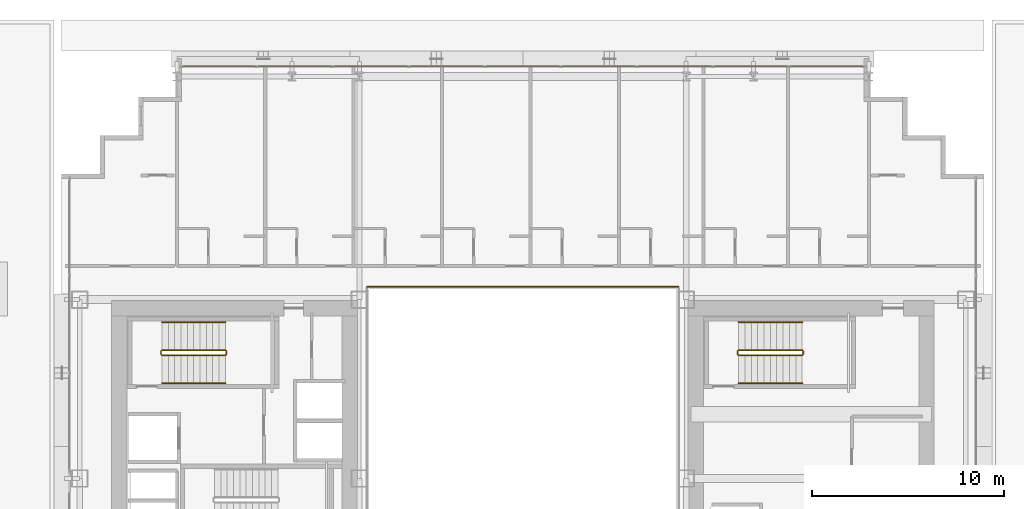
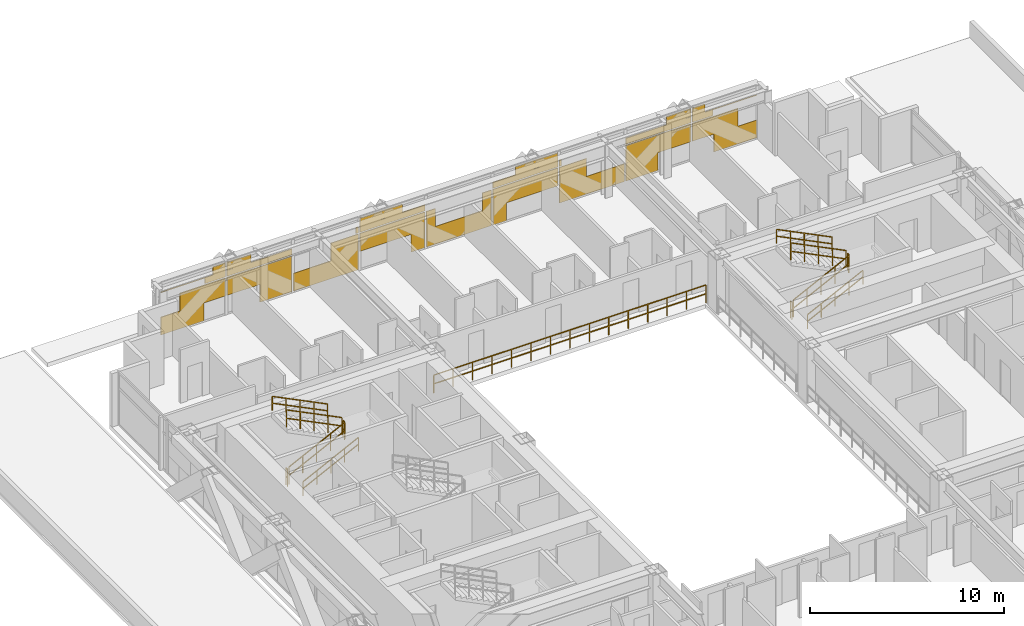
# One storey, part 35 of 35: 13 railings, 1 covering.
"""IFC4 building model written with IfcOpenShell, lengths in metres."""

import ifcopenshell
import ifcopenshell.guid

model = None  # the IFC model being written
_history = None  # IfcOwnerHistory: only IFC2X3 demands one
_inside = {}  # id of a spatial element -> (the spatial element, [elements in it])
_under = {}  # id of a project, library or spatial element -> (it, [spatial elements below it])
_declared = {}  # id of a project -> (the project, [libraries it declares])
_typed = {}  # id of a type object -> (the type object, [elements of that type])
_made_of = {}  # id of a material, layer set ... -> (it, [elements and type objects made of it])


def new_model(schema):
    """Start an empty IFC model of exactly this schema.

    Asked for "IFC4X3", IfcOpenShell would pick the latest addendum, in which some entities
    have other attributes; the version numbers below select the first issue.
    IFC2X3 requires an IfcOwnerHistory on every rooted entity: one is made here for all.
    """
    global model, _history
    if schema == "IFC4X3":
        model = ifcopenshell.file(schema_version=(4, 3, 0, 0))
    else:
        model = ifcopenshell.file(schema=schema)
    _inside.clear()
    _under.clear()
    _declared.clear()
    _typed.clear()
    _made_of.clear()
    _history = None
    if model.schema == "IFC2X3":
        org = make("IfcOrganization", Name="unknown")
        user = make(
            "IfcPersonAndOrganization",
            ThePerson=make("IfcPerson", FamilyName="unknown"),
            TheOrganization=org,
        )
        app = make(
            "IfcApplication",
            ApplicationDeveloper=org,
            Version="unknown",
            ApplicationFullName="unknown",
            ApplicationIdentifier="unknown",
        )
        _history = make(
            "IfcOwnerHistory",
            OwningUser=user,
            OwningApplication=app,
            ChangeAction="ADDED",
            CreationDate=0,
        )
    return model


def make(cls, **values):
    """One entity of the class cls with the attributes given. An attribute that is None is left unset."""
    return model.create_entity(
        cls, **{name: value for name, value in values.items() if value is not None}
    )


def rooted(cls, **values):
    """An entity with a GlobalId (a new one), such as an element, a storey or a relation."""
    return make(cls, GlobalId=ifcopenshell.guid.new(), OwnerHistory=_history, **values)


def si_unit(unit_type, name, prefix=None):
    """IfcSIUnit, for example si_unit("LENGTHUNIT", "METRE", prefix="MILLI")."""
    return make("IfcSIUnit", UnitType=unit_type, Prefix=prefix, Name=name)


def assignment(units):
    """IfcUnitAssignment: the units of a project."""
    return None if units is None else make("IfcUnitAssignment", Units=units)


def point(xyz):
    """IfcCartesianPoint."""
    return None if xyz is None else make("IfcCartesianPoint", Coordinates=xyz)


def direction(xyz):
    """IfcDirection."""
    return None if xyz is None else make("IfcDirection", DirectionRatios=xyz)


def frame(location, z_axis=None, x_axis=None):
    """IfcAxis2Placement3D, a coordinate frame: its origin and axes. An axis left out is left unset."""
    return make(
        "IfcAxis2Placement3D",
        Location=point(location),
        Axis=direction(z_axis),
        RefDirection=direction(x_axis),
    )


def frame_2d(location, x_axis=None):
    """IfcAxis2Placement2D, a coordinate frame in the plane: its origin and x axis."""
    return make(
        "IfcAxis2Placement2D", Location=point(location), RefDirection=direction(x_axis)
    )


def origin():
    """The frame at (0, 0, 0) with its axes left unset."""
    return frame((0.0, 0.0, 0.0))


def origin_2d():
    """The frame at (0, 0) in the plane with its x axis left unset."""
    return frame_2d((0.0, 0.0))


def place(relative_to, where):
    """IfcLocalPlacement: puts the frame where relative to a parent placement (None: the world)."""
    return make(
        "IfcLocalPlacement", PlacementRelTo=relative_to, RelativePlacement=where
    )


def context(
    kind, dimensions, precision=None, world=None, true_north=None, identifier=None
):
    """IfcGeometricRepresentationContext, for example the 3D "Model" context."""
    return make(
        "IfcGeometricRepresentationContext",
        ContextIdentifier=identifier,
        ContextType=kind,
        CoordinateSpaceDimension=dimensions,
        Precision=precision,
        WorldCoordinateSystem=world,
        TrueNorth=true_north,
    )


def subcontext(parent, identifier, kind, view, scale=None):
    """IfcGeometricRepresentationSubContext, for example "Body" below "Model"."""
    return make(
        "IfcGeometricRepresentationSubContext",
        ContextIdentifier=identifier,
        ContextType=kind,
        ParentContext=parent,
        TargetScale=scale,
        TargetView=view,
    )


def project(units=None, contexts=None):
    """IfcProject with its units and contexts."""
    return rooted(
        "IfcProject",
        Name="project",
        RepresentationContexts=contexts,
        UnitsInContext=assignment(units),
    )


def spatial(cls, under=None, at=None, **own):
    """A site, building, storey or space (cls), placed at a placement, below another one or the project."""
    s = rooted(cls, ObjectPlacement=at, **own)
    if under is not None:
        _under.setdefault(under.id(), (under, []))[1].append(s)
    return s


def profile(cls, at=None, kind="AREA", **sizes):
    """A parametric profile (cls). Its sizes go by their IFC names, for example OverallWidth=200.0."""
    return make(cls, ProfileType=kind, Position=at, **sizes)


def rectangle(**sizes):
    """IfcRectangleProfileDef."""
    return profile("IfcRectangleProfileDef", **sizes)


def extrude(swept, where, along, depth):
    """IfcExtrudedAreaSolid: the profile swept, set in the frame where, extruded along a direction by depth."""
    return make(
        "IfcExtrudedAreaSolid",
        SweptArea=swept,
        Position=where,
        ExtrudedDirection=direction(along),
        Depth=depth,
    )


def shape(context_of_items, identifier, shape_type, items):
    """IfcShapeRepresentation: the items that make up one representation, for example the "Body"."""
    return make(
        "IfcShapeRepresentation",
        ContextOfItems=context_of_items,
        RepresentationIdentifier=identifier,
        RepresentationType=shape_type,
        Items=items,
    )


def material(Name=None, Category=None):
    """IfcMaterial."""
    return make("IfcMaterial", Name=Name, Category=Category)


def layer(
    of_material, thickness, ventilated=None, Name=None, Category=None, Priority=None
):
    """IfcMaterialLayer: one layer of a wall or slab, of a material (None: an air gap)."""
    return make(
        "IfcMaterialLayer",
        Material=of_material,
        LayerThickness=thickness,
        IsVentilated=ventilated,
        Name=Name,
        Category=Category,
        Priority=Priority,
    )


def layer_set(layers, Name=None):
    """IfcMaterialLayerSet."""
    return make("IfcMaterialLayerSet", MaterialLayers=layers, LayerSetName=Name)


def made_of(thing, what):
    """Note that an element or type object is made of a material, layer set ...; save() writes the relation."""
    if what is not None:
        _made_of.setdefault(what.id(), (what, []))[1].append(thing)
    return thing


def type_object(cls, material=None, **own):
    """A type object (cls), such as IfcWallType, which elements share."""
    return made_of(rooted(cls, **own), material)


def element(
    cls,
    number,
    at=None,
    inside=None,
    cuts=None,
    type_object=None,
    material=None,
    context=None,
    identifier="Body",
    shape_type=None,
    held_by="IfcProductDefinitionShape",
    body=None,
    shapes=None,
    **own,
):
    """One element of the class cls, such as IfcWall. Its Tag is "e" and its number.

    at: its placement. inside: the storey or other place that contains it. cuts: it is an
    opening in that element (IfcRelVoidsElement). A single representation is given by context,
    identifier, shape_type and body (its items); several are given by shapes. held_by: the class
    of the entity that holds the representations. save() writes the other relations.
    """
    e = rooted(cls, Tag="e%d" % number, ObjectPlacement=at, **own)
    if body is not None:
        shapes = [shape(context, identifier, shape_type, body)]
    if shapes is not None:
        e.Representation = make(held_by, Representations=shapes)
    if inside is not None:
        _inside.setdefault(inside.id(), (inside, []))[1].append(e)
    if cuts is not None:
        rooted(
            "IfcRelVoidsElement", RelatingBuildingElement=cuts, RelatedOpeningElement=e
        )
    if type_object is not None:
        _typed.setdefault(type_object.id(), (type_object, []))[1].append(e)
    return made_of(e, material)


def aggregate(whole, parts):
    """IfcRelAggregates: a whole, such as a stair, and the parts it consists of."""
    return rooted("IfcRelAggregates", RelatingObject=whole, RelatedObjects=parts)


def save(model, path):
    """Write the relations noted so far, then the file.

    IfcRelAggregates (storeys below a building ...), IfcRelContainedInSpatialStructure (elements
    in a storey), IfcRelDefinesByType, IfcRelAssociatesMaterial and IfcRelDeclares: one each for
    every whole, place, type object, material and project.
    """
    for whole, parts in _under.values():
        aggregate(whole, parts)
    for where, things in _inside.values():
        rooted(
            "IfcRelContainedInSpatialStructure",
            RelatedElements=things,
            RelatingStructure=where,
        )
    for kind, things in _typed.values():
        rooted("IfcRelDefinesByType", RelatedObjects=things, RelatingType=kind)
    for what, things in _made_of.values():
        rooted("IfcRelAssociatesMaterial", RelatedObjects=things, RelatingMaterial=what)
    for by, libraries in _declared.values():
        rooted("IfcRelDeclares", RelatingContext=by, RelatedDefinitions=libraries)
    model.write(path)


model = new_model("IFC4")

# Units and contexts
model_context = context("Model", 3, precision=1e-05, world=origin(), true_north=direction((0.0, 1.0)))
body_context = subcontext(model_context, "Body", "Model", "MODEL_VIEW")
ifc_project = project(units=[si_unit("LENGTHUNIT", "METRE"), si_unit("AREAUNIT", "SQUARE_METRE"), si_unit("VOLUMEUNIT", "CUBIC_METRE"), si_unit("PLANEANGLEUNIT", "RADIAN"), si_unit("MASSUNIT", "GRAM", prefix="KILO")], contexts=[model_context])

# Site, building, storey
site_placement = place(None, origin())
site = spatial("IfcSite", under=ifc_project, at=site_placement, CompositionType="ELEMENT")
building_placement = place(site_placement, origin())
building = spatial("IfcBuilding", under=site, at=building_placement, Name="Ocotamira Hotel", CompositionType="ELEMENT")
storey_placement = place(building_placement, frame((0.0, 0.0, 34.800048828125)))
storey = spatial("IfcBuildingStorey", under=building, at=storey_placement, Name="L07", CompositionType="ELEMENT", Elevation=34.800048828125)

# Covering
ifc_material_1 = material(Name="Insulated pale-metal aluminium spandrel panel", Category="aluminium")
ifc_layer = layer(ifc_material_1, 0.044921875)
ifc_layer_set = layer_set([ifc_layer], Name="Insulated pale-metal aluminium spandrel panel")
covering_type = type_object("IfcCoveringType", Name="COV-INFILL-45", PredefinedType="CLADDING", material=ifc_layer_set)
covering_placement = place(storey_placement, origin())
element("IfcCovering", 1, at=covering_placement, inside=storey, type_object=covering_type, Name="L07 Curtain Wall Infill CW-2 CW-L07-N", PredefinedType="CLADDING", context=body_context, shape_type="SweptSolid", body=[
    extrude(rectangle(XDim=2.556396484375, YDim=0.044921875, at=origin_2d()), frame((15.558837890625, 49.580078125, 0.075439453125), z_axis=(0.0, 0.0, 1.0), x_axis=(1.0, 0.0, 0.0)), (0.0, 0.0, 1.0), 1.11767578125),
    extrude(rectangle(XDim=2.7177734375, YDim=0.044921875, at=origin_2d()), frame((16.756103515625, 49.580078125, 1.194091796875), z_axis=(0.0, 0.0, 1.0), x_axis=(1.0, 0.0, 0.0)), (0.0, 0.0, 1.0), 1.11767578125),
    extrude(rectangle(XDim=3.834716796875, YDim=0.044921875, at=origin_2d()), frame((16.19775390625, 49.580078125, 2.7333984375), z_axis=(0.0, 0.0, 1.0), x_axis=(1.0, 0.0, 0.0)), (0.0, 0.0, 1.0), 0.0302734375),
    extrude(rectangle(XDim=1.2255859375, YDim=0.044921875, at=origin_2d()), frame((17.502197265625, 49.580078125, 2.3876953125), z_axis=(0.0, 0.0, 1.0), x_axis=(1.0, 0.0, 0.0)), (0.0, 0.0, 1.0), 0.344482421875),
    extrude(rectangle(XDim=0.754638671875, YDim=0.044921875, at=origin_2d()), frame((17.73779296875, 49.580078125, 2.7646484375), z_axis=(0.0, 0.0, 1.0), x_axis=(1.0, 0.0, 0.0)), (0.0, 0.0, 1.0), 0.509765625),
    extrude(rectangle(XDim=3.87451171875, YDim=0.044921875, at=origin_2d()), frame((20.13330078125, 49.580078125, 1.194091796875), z_axis=(0.0, 0.0, 1.0), x_axis=(1.0, 0.0, 0.0)), (0.0, 0.0, 1.0), 1.11767578125),
    extrude(rectangle(XDim=1.90771484375, YDim=0.044921875, at=origin_2d()), frame((21.11669921875, 49.580078125, 0.075439453125), z_axis=(0.0, 0.0, 1.0), x_axis=(1.0, 0.0, 0.0)), (0.0, 0.0, 1.0), 1.11767578125),
    extrude(rectangle(XDim=3.87451171875, YDim=0.044921875, at=origin_2d()), frame((20.13330078125, 49.580078125, 2.38818359375), z_axis=(0.0, 0.0, 1.0), x_axis=(1.0, 0.0, 0.0)), (0.0, 0.0, 1.0), 0.375732421875),
    extrude(rectangle(XDim=1.443603515625, YDim=0.044921875, at=origin_2d()), frame((18.917724609375, 49.580078125, 2.7646484375), z_axis=(0.0, 0.0, 1.0), x_axis=(1.0, 0.0, 0.0)), (0.0, 0.0, 1.0), 0.509765625),
    extrude(rectangle(XDim=3.87451171875, YDim=0.044921875, at=origin_2d()), frame((24.0888671875, 49.580078125, 0.075439453125), z_axis=(0.0, 0.0, 1.0), x_axis=(1.0, 0.0, 0.0)), (0.0, 0.0, 1.0), 1.11767578125),
    extrude(rectangle(XDim=1.62890625, YDim=0.044921875, at=origin_2d()), frame((25.2119140625, 49.580078125, 1.194091796875), z_axis=(0.0, 0.0, 1.0), x_axis=(1.0, 0.0, 0.0)), (0.0, 0.0, 1.0), 1.11767578125),
    extrude(rectangle(XDim=0.13671875, YDim=0.044921875, at=origin_2d()), frame((25.957763671875, 49.580078125, 2.38818359375), z_axis=(0.0, 0.0, 1.0), x_axis=(1.0, 0.0, 0.0)), (0.0, 0.0, 1.0), 0.375732421875),
    extrude(rectangle(XDim=3.87451171875, YDim=0.044921875, at=origin_2d()), frame((28.04443359375, 49.580078125, 1.194091796875), z_axis=(0.0, 0.0, 1.0), x_axis=(1.0, 0.0, 0.0)), (0.0, 0.0, 1.0), 1.11767578125),
    extrude(rectangle(XDim=0.81884765625, YDim=0.044921875, at=origin_2d()), frame((29.572265625, 49.580078125, 0.075439453125), z_axis=(0.0, 0.0, 1.0), x_axis=(1.0, 0.0, 0.0)), (0.0, 0.0, 1.0), 1.11767578125),
    extrude(rectangle(XDim=3.87451171875, YDim=0.044921875, at=origin_2d()), frame((28.04443359375, 49.580078125, 2.38818359375), z_axis=(0.0, 0.0, 1.0), x_axis=(1.0, 0.0, 0.0)), (0.0, 0.0, 1.0), 0.375732421875),
    extrude(rectangle(XDim=2.532470703125, YDim=0.044921875, at=origin_2d()), frame((27.373291015625, 49.580078125, 2.7646484375), z_axis=(0.0, 0.0, 1.0), x_axis=(1.0, 0.0, 0.0)), (0.0, 0.0, 1.0), 0.509765625),
    extrude(rectangle(XDim=3.87451171875, YDim=0.044921875, at=origin_2d()), frame((32.0, 49.580078125, 0.075439453125), z_axis=(0.0, 0.0, 1.0), x_axis=(1.0, 0.0, 0.0)), (0.0, 0.0, 1.0), 1.11767578125),
    extrude(rectangle(XDim=0.539794921875, YDim=0.044921875, at=origin_2d()), frame((30.332763671875, 49.580078125, 1.194091796875), z_axis=(0.0, 0.0, 1.0), x_axis=(1.0, 0.0, 0.0)), (0.0, 0.0, 1.0), 1.11767578125),
    extrude(rectangle(XDim=0.539794921875, YDim=0.044921875, at=origin_2d()), frame((33.667236328125, 49.580078125, 1.194091796875), z_axis=(0.0, 0.0, 1.0), x_axis=(1.0, 0.0, 0.0)), (0.0, 0.0, 1.0), 1.11767578125),
    extrude(rectangle(XDim=0.81884765625, YDim=0.044921875, at=origin_2d()), frame((34.427734375, 49.580078125, 0.075439453125), z_axis=(0.0, 0.0, 1.0), x_axis=(1.0, 0.0, 0.0)), (0.0, 0.0, 1.0), 1.11767578125),
    extrude(rectangle(XDim=3.87451171875, YDim=0.044921875, at=origin_2d()), frame((35.95556640625, 49.580078125, 1.194091796875), z_axis=(0.0, 0.0, 1.0), x_axis=(1.0, 0.0, 0.0)), (0.0, 0.0, 1.0), 1.11767578125),
    extrude(rectangle(XDim=3.87451171875, YDim=0.044921875, at=origin_2d()), frame((35.95556640625, 49.580078125, 2.38818359375), z_axis=(0.0, 0.0, 1.0), x_axis=(1.0, 0.0, 0.0)), (0.0, 0.0, 1.0), 0.375732421875),
    extrude(rectangle(XDim=2.532470703125, YDim=0.044921875, at=origin_2d()), frame((36.626708984375, 49.580078125, 2.7646484375), z_axis=(0.0, 0.0, 1.0), x_axis=(1.0, 0.0, 0.0)), (0.0, 0.0, 1.0), 0.509765625),
    extrude(rectangle(XDim=3.87451171875, YDim=0.044921875, at=origin_2d()), frame((39.9111328125, 49.580078125, 0.075439453125), z_axis=(0.0, 0.0, 1.0), x_axis=(1.0, 0.0, 0.0)), (0.0, 0.0, 1.0), 1.11767578125),
    extrude(rectangle(XDim=1.62890625, YDim=0.044921875, at=origin_2d()), frame((38.7880859375, 49.580078125, 1.194091796875), z_axis=(0.0, 0.0, 1.0), x_axis=(1.0, 0.0, 0.0)), (0.0, 0.0, 1.0), 1.11767578125),
    extrude(rectangle(XDim=0.13671875, YDim=0.044921875, at=origin_2d()), frame((38.042236328125, 49.580078125, 2.38818359375), z_axis=(0.0, 0.0, 1.0), x_axis=(1.0, 0.0, 0.0)), (0.0, 0.0, 1.0), 0.375732421875),
    extrude(rectangle(XDim=1.90771484375, YDim=0.044921875, at=origin_2d()), frame((42.88330078125, 49.580078125, 0.075439453125), z_axis=(0.0, 0.0, 1.0), x_axis=(1.0, 0.0, 0.0)), (0.0, 0.0, 1.0), 1.11767578125),
    extrude(rectangle(XDim=3.87451171875, YDim=0.044921875, at=origin_2d()), frame((43.86669921875, 49.580078125, 1.194091796875), z_axis=(0.0, 0.0, 1.0), x_axis=(1.0, 0.0, 0.0)), (0.0, 0.0, 1.0), 1.11767578125),
    extrude(rectangle(XDim=3.87451171875, YDim=0.044921875, at=origin_2d()), frame((43.86669921875, 49.580078125, 2.38818359375), z_axis=(0.0, 0.0, 1.0), x_axis=(1.0, 0.0, 0.0)), (0.0, 0.0, 1.0), 0.375732421875),
    extrude(rectangle(XDim=1.443603515625, YDim=0.044921875, at=origin_2d()), frame((45.082275390625, 49.580078125, 2.7646484375), z_axis=(0.0, 0.0, 1.0), x_axis=(1.0, 0.0, 0.0)), (0.0, 0.0, 1.0), 0.509765625),
    extrude(rectangle(XDim=2.7177734375, YDim=0.044921875, at=origin_2d()), frame((47.243896484375, 49.580078125, 1.194091796875), z_axis=(0.0, 0.0, 1.0), x_axis=(1.0, 0.0, 0.0)), (0.0, 0.0, 1.0), 1.11767578125),
    extrude(rectangle(XDim=2.556396484375, YDim=0.044921875, at=origin_2d()), frame((48.441162109375, 49.580078125, 0.075439453125), z_axis=(0.0, 0.0, 1.0), x_axis=(1.0, 0.0, 0.0)), (0.0, 0.0, 1.0), 1.11767578125),
    extrude(rectangle(XDim=1.2255859375, YDim=0.044921875, at=origin_2d()), frame((46.497802734375, 49.580078125, 2.3876953125), z_axis=(0.0, 0.0, 1.0), x_axis=(1.0, 0.0, 0.0)), (0.0, 0.0, 1.0), 0.344482421875),
    extrude(rectangle(XDim=3.834716796875, YDim=0.044921875, at=origin_2d()), frame((47.80224609375, 49.580078125, 2.7333984375), z_axis=(0.0, 0.0, 1.0), x_axis=(1.0, 0.0, 0.0)), (0.0, 0.0, 1.0), 0.0302734375),
    extrude(rectangle(XDim=0.754638671875, YDim=0.044921875, at=origin_2d()), frame((46.26220703125, 49.580078125, 2.7646484375), z_axis=(0.0, 0.0, 1.0), x_axis=(1.0, 0.0, 0.0)), (0.0, 0.0, 1.0), 0.509765625),
])

# Railings
ifc_material_2 = material(Name="Painted steel stair guardrail", Category="steel")
railing_type_1 = type_object("IfcRailingType", Name="RL-EDGE-1150", PredefinedType="GUARDRAIL", material=ifc_material_2)
railing_1_placement = place(storey_placement, frame((40.10009765625, 38.1201171875, 0.0)))
element("IfcRailing", 2, at=railing_1_placement, inside=storey, type_object=railing_type_1, Name="L07 Central Atrium Edge Guardrail N", PredefinedType="GUARDRAIL", context=body_context, shape_type="SweptSolid", body=[
    extrude(rectangle(XDim=0.048095703125, YDim=0.048095703125, at=origin_2d()), frame((0.0, 0.0, 1.1259765625), z_axis=(-1.0, 0.0, 0.0), x_axis=(0.0, -1.0, 0.0)), (0.0, 0.0, 1.0), 16.2001953125),
    extrude(rectangle(XDim=0.048095703125, YDim=0.048095703125, at=origin_2d()), frame((0.0, 0.0, 0.574951171875), z_axis=(-1.0, 0.0, 0.0), x_axis=(0.0, -1.0, 0.0)), (0.0, 0.0, 1.0), 16.2001953125),
    extrude(rectangle(XDim=0.0419921875, YDim=0.0419921875, at=origin_2d()), origin(), (0.0, 0.0, 1.0), 1.101806640625),
    extrude(rectangle(XDim=0.0419921875, YDim=0.0419921875, at=origin_2d()), frame((-1.1572265625, 0.0, 0.0)), (0.0, 0.0, 1.0), 1.101806640625),
    extrude(rectangle(XDim=0.0419921875, YDim=0.0419921875, at=origin_2d()), frame((-2.314208984375, 0.0, 0.0)), (0.0, 0.0, 1.0), 1.101806640625),
    extrude(rectangle(XDim=0.0419921875, YDim=0.0419921875, at=origin_2d()), frame((-3.471435546875, 0.0, 0.0)), (0.0, 0.0, 1.0), 1.101806640625),
    extrude(rectangle(XDim=0.0419921875, YDim=0.0419921875, at=origin_2d()), frame((-4.628662109375, 0.0, 0.0)), (0.0, 0.0, 1.0), 1.101806640625),
    extrude(rectangle(XDim=0.0419921875, YDim=0.0419921875, at=origin_2d()), frame((-5.785888671875, 0.0, 0.0)), (0.0, 0.0, 1.0), 1.101806640625),
    extrude(rectangle(XDim=0.0419921875, YDim=0.0419921875, at=origin_2d()), frame((-6.94287109375, 0.0, 0.0)), (0.0, 0.0, 1.0), 1.101806640625),
    extrude(rectangle(XDim=0.0419921875, YDim=0.0419921875, at=origin_2d()), frame((-8.10009765625, 0.0, 0.0)), (0.0, 0.0, 1.0), 1.101806640625),
    extrude(rectangle(XDim=0.0419921875, YDim=0.0419921875, at=origin_2d()), frame((-9.25732421875, 0.0, 0.0)), (0.0, 0.0, 1.0), 1.101806640625),
    extrude(rectangle(XDim=0.0419921875, YDim=0.0419921875, at=origin_2d()), frame((-10.414306640625, 0.0, 0.0)), (0.0, 0.0, 1.0), 1.101806640625),
    extrude(rectangle(XDim=0.0419921875, YDim=0.0419921875, at=origin_2d()), frame((-11.571533203125, 0.0, 0.0)), (0.0, 0.0, 1.0), 1.101806640625),
    extrude(rectangle(XDim=0.0419921875, YDim=0.0419921875, at=origin_2d()), frame((-12.728759765625, 0.0, 0.0)), (0.0, 0.0, 1.0), 1.101806640625),
    extrude(rectangle(XDim=0.0419921875, YDim=0.0419921875, at=origin_2d()), frame((-13.885986328125, 0.0, 0.0)), (0.0, 0.0, 1.0), 1.101806640625),
    extrude(rectangle(XDim=0.0419921875, YDim=0.0419921875, at=origin_2d()), frame((-15.04296875, 0.0, 0.0)), (0.0, 0.0, 1.0), 1.101806640625),
    extrude(rectangle(XDim=0.0419921875, YDim=0.0419921875, at=origin_2d()), frame((-16.2001953125, 0.0, 0.0)), (0.0, 0.0, 1.0), 1.101806640625),
])
ifc_material_3 = material(Name="Brushed stainless steel handrail", Category="steel")
railing_type_2 = type_object("IfcRailingType", Name="RL-HAND-900", PredefinedType="HANDRAIL", material=ifc_material_3)
railing_2_placement = place(storey_placement, frame((13.22998046875, 33.10009765625, 0.3271484375)))
element("IfcRailing", 3, at=railing_2_placement, inside=storey, type_object=railing_type_2, Name="L07 ST-2 stair handrail 1", PredefinedType="HANDRAIL", context=body_context, shape_type="SweptSolid", body=[
    extrude(rectangle(XDim=0.048095703125, YDim=0.048095703125, at=origin_2d()), frame((0.0, 0.0, 0.8759765625), z_axis=(0.895893744519, 0.0, 0.4442683857), x_axis=(0.0, 1.0, 0.0)), (0.0, 0.0, 1.0), 3.68359375),
    extrude(rectangle(XDim=0.048095703125, YDim=0.048095703125, at=origin_2d()), frame((0.0, 0.0, 0.449951171875), z_axis=(0.895893744519, 0.0, 0.4442683857), x_axis=(0.0, 1.0, 0.0)), (0.0, 0.0, 1.0), 3.68359375),
    extrude(rectangle(XDim=0.0419921875, YDim=0.0419921875, at=origin_2d()), origin(), (0.0, 0.0, 1.0), 0.851806640625),
    extrude(rectangle(XDim=0.0419921875, YDim=0.0419921875, at=origin_2d()), frame((0.824951171875, 0.0, 0.4091796875)), (0.0, 0.0, 1.0), 0.851806640625),
    extrude(rectangle(XDim=0.0419921875, YDim=0.0419921875, at=origin_2d()), frame((1.64990234375, 0.0, 0.818359375)), (0.0, 0.0, 1.0), 0.851806640625),
    extrude(rectangle(XDim=0.0419921875, YDim=0.0419921875, at=origin_2d()), frame((2.47509765625, 0.0, 1.227294921875)), (0.0, 0.0, 1.0), 0.851806640625),
    extrude(rectangle(XDim=0.0419921875, YDim=0.0419921875, at=origin_2d()), frame((3.300048828125, 0.0, 1.636474609375)), (0.0, 0.0, 1.0), 0.851806640625),
])
railing_3_placement = place(storey_placement, frame((16.530029296875, 36.280029296875, 2.127197265625)))
element("IfcRailing", 4, at=railing_3_placement, inside=storey, type_object=railing_type_2, Name="L07 ST-2 stair handrail 2", PredefinedType="HANDRAIL", context=body_context, shape_type="SweptSolid", body=[
    extrude(rectangle(XDim=0.048095703125, YDim=0.048095703125, at=origin_2d()), frame((0.0, 0.0, 0.8759765625), z_axis=(-0.895893744519, 0.0, 0.4442683857), x_axis=(0.0, -1.0, 0.0)), (0.0, 0.0, 1.0), 3.68359375),
    extrude(rectangle(XDim=0.048095703125, YDim=0.048095703125, at=origin_2d()), frame((0.0, 0.0, 0.449951171875), z_axis=(-0.895893744519, 0.0, 0.4442683857), x_axis=(0.0, -1.0, 0.0)), (0.0, 0.0, 1.0), 3.68359375),
    extrude(rectangle(XDim=0.0419921875, YDim=0.0419921875, at=origin_2d()), origin(), (0.0, 0.0, 1.0), 0.851806640625),
    extrude(rectangle(XDim=0.0419921875, YDim=0.0419921875, at=origin_2d()), frame((-0.824951171875, 0.0, 0.4091796875)), (0.0, 0.0, 1.0), 0.851806640625),
    extrude(rectangle(XDim=0.0419921875, YDim=0.0419921875, at=origin_2d()), frame((-1.64990234375, 0.0, 0.818359375)), (0.0, 0.0, 1.0), 0.851806640625),
    extrude(rectangle(XDim=0.0419921875, YDim=0.0419921875, at=origin_2d()), frame((-2.47509765625, 0.0, 1.227294921875)), (0.0, 0.0, 1.0), 0.851806640625),
    extrude(rectangle(XDim=0.0419921875, YDim=0.0419921875, at=origin_2d()), frame((-3.300048828125, 0.0, 1.636474609375)), (0.0, 0.0, 1.0), 0.851806640625),
])
railing_4_placement = place(storey_placement, frame((43.22998046875, 33.10009765625, 0.3271484375)))
element("IfcRailing", 5, at=railing_4_placement, inside=storey, type_object=railing_type_2, Name="L07 ST-4 stair handrail 1", PredefinedType="HANDRAIL", context=body_context, shape_type="SweptSolid", body=[
    extrude(rectangle(XDim=0.048095703125, YDim=0.048095703125, at=origin_2d()), frame((0.0, 0.0, 0.8759765625), z_axis=(0.895893744519, 0.0, 0.4442683857), x_axis=(0.0, 1.0, 0.0)), (0.0, 0.0, 1.0), 3.68359375),
    extrude(rectangle(XDim=0.048095703125, YDim=0.048095703125, at=origin_2d()), frame((0.0, 0.0, 0.449951171875), z_axis=(0.895893744519, 0.0, 0.4442683857), x_axis=(0.0, 1.0, 0.0)), (0.0, 0.0, 1.0), 3.68359375),
    extrude(rectangle(XDim=0.0419921875, YDim=0.0419921875, at=origin_2d()), origin(), (0.0, 0.0, 1.0), 0.851806640625),
    extrude(rectangle(XDim=0.0419921875, YDim=0.0419921875, at=origin_2d()), frame((0.824951171875, 0.0, 0.4091796875)), (0.0, 0.0, 1.0), 0.851806640625),
    extrude(rectangle(XDim=0.0419921875, YDim=0.0419921875, at=origin_2d()), frame((1.64990234375, 0.0, 0.818359375)), (0.0, 0.0, 1.0), 0.851806640625),
    extrude(rectangle(XDim=0.0419921875, YDim=0.0419921875, at=origin_2d()), frame((2.47509765625, 0.0, 1.227294921875)), (0.0, 0.0, 1.0), 0.851806640625),
    extrude(rectangle(XDim=0.0419921875, YDim=0.0419921875, at=origin_2d()), frame((3.300048828125, 0.0, 1.636474609375)), (0.0, 0.0, 1.0), 0.851806640625),
])
railing_5_placement = place(storey_placement, frame((46.530029296875, 36.280029296875, 2.127197265625)))
element("IfcRailing", 6, at=railing_5_placement, inside=storey, type_object=railing_type_2, Name="L07 ST-4 stair handrail 2", PredefinedType="HANDRAIL", context=body_context, shape_type="SweptSolid", body=[
    extrude(rectangle(XDim=0.048095703125, YDim=0.048095703125, at=origin_2d()), frame((0.0, 0.0, 0.8759765625), z_axis=(-0.895893744519, 0.0, 0.4442683857), x_axis=(0.0, -1.0, 0.0)), (0.0, 0.0, 1.0), 3.68359375),
    extrude(rectangle(XDim=0.048095703125, YDim=0.048095703125, at=origin_2d()), frame((0.0, 0.0, 0.449951171875), z_axis=(-0.895893744519, 0.0, 0.4442683857), x_axis=(0.0, -1.0, 0.0)), (0.0, 0.0, 1.0), 3.68359375),
    extrude(rectangle(XDim=0.0419921875, YDim=0.0419921875, at=origin_2d()), origin(), (0.0, 0.0, 1.0), 0.851806640625),
    extrude(rectangle(XDim=0.0419921875, YDim=0.0419921875, at=origin_2d()), frame((-0.824951171875, 0.0, 0.4091796875)), (0.0, 0.0, 1.0), 0.851806640625),
    extrude(rectangle(XDim=0.0419921875, YDim=0.0419921875, at=origin_2d()), frame((-1.64990234375, 0.0, 0.818359375)), (0.0, 0.0, 1.0), 0.851806640625),
    extrude(rectangle(XDim=0.0419921875, YDim=0.0419921875, at=origin_2d()), frame((-2.47509765625, 0.0, 1.227294921875)), (0.0, 0.0, 1.0), 0.851806640625),
    extrude(rectangle(XDim=0.0419921875, YDim=0.0419921875, at=origin_2d()), frame((-3.300048828125, 0.0, 1.636474609375)), (0.0, 0.0, 1.0), 0.851806640625),
])
railing_type_3 = type_object("IfcRailingType", Name="RL-STAIR-1100", PredefinedType="GUARDRAIL", material=ifc_material_2)
railing_6_placement = place(storey_placement, frame((13.22998046875, 34.56005859375, 0.16357421875)))
element("IfcRailing", 7, at=railing_6_placement, inside=storey, type_object=railing_type_3, Name="L07 ST-2 stair guard 1", PredefinedType="GUARDRAIL", context=body_context, shape_type="SweptSolid", body=[
    extrude(rectangle(XDim=0.048095703125, YDim=0.048095703125, at=origin_2d()), frame((0.0, 0.0, 1.076171875), z_axis=(0.895893744519, 0.0, 0.4442683857), x_axis=(0.0, 1.0, 0.0)), (0.0, 0.0, 1.0), 3.68359375),
    extrude(rectangle(XDim=0.048095703125, YDim=0.048095703125, at=origin_2d()), frame((0.0, 0.0, 0.550048828125), z_axis=(0.895893744519, 0.0, 0.4442683857), x_axis=(0.0, 1.0, 0.0)), (0.0, 0.0, 1.0), 3.68359375),
    extrude(rectangle(XDim=0.0419921875, YDim=0.0419921875, at=origin_2d()), origin(), (0.0, 0.0, 1.0), 1.052001953125),
    extrude(rectangle(XDim=0.0419921875, YDim=0.0419921875, at=origin_2d()), frame((0.824951171875, 0.0, 0.4091796875)), (0.0, 0.0, 1.0), 1.052001953125),
    extrude(rectangle(XDim=0.0419921875, YDim=0.0419921875, at=origin_2d()), frame((1.64990234375, 0.0, 0.818359375)), (0.0, 0.0, 1.0), 1.052001953125),
    extrude(rectangle(XDim=0.0419921875, YDim=0.0419921875, at=origin_2d()), frame((2.47509765625, 0.0, 1.227294921875)), (0.0, 0.0, 1.0), 1.052001953125),
    extrude(rectangle(XDim=0.0419921875, YDim=0.0419921875, at=origin_2d()), frame((3.300048828125, 0.0, 1.636474609375)), (0.0, 0.0, 1.0), 1.052001953125),
])
railing_7_placement = place(storey_placement, frame((16.580078125, 34.610107421875, 1.800048828125)))
element("IfcRailing", 8, at=railing_7_placement, inside=storey, type_object=railing_type_3, Name="L07 ST-2 stair guard 2", PredefinedType="GUARDRAIL", context=body_context, shape_type="SweptSolid", body=[
    extrude(rectangle(XDim=0.048095703125, YDim=0.048095703125, at=origin_2d()), frame((0.0, 0.0, 1.076171875), z_axis=(0.0, 1.0, 0.0), x_axis=(-1.0, 0.0, 0.0)), (0.0, 0.0, 1.0), 0.159912109375),
    extrude(rectangle(XDim=0.048095703125, YDim=0.048095703125, at=origin_2d()), frame((0.0, 0.0, 0.550048828125), z_axis=(0.0, 1.0, 0.0), x_axis=(-1.0, 0.0, 0.0)), (0.0, 0.0, 1.0), 0.159912109375),
    extrude(rectangle(XDim=0.0419921875, YDim=0.0419921875, at=origin_2d()), origin(), (0.0, 0.0, 1.0), 1.052001953125),
    extrude(rectangle(XDim=0.0419921875, YDim=0.0419921875, at=origin_2d()), frame((0.0, 0.159912109375, 0.0)), (0.0, 0.0, 1.0), 1.052001953125),
])
railing_8_placement = place(storey_placement, frame((16.530029296875, 34.820068359375, 1.963623046875)))
element("IfcRailing", 9, at=railing_8_placement, inside=storey, type_object=railing_type_3, Name="L07 ST-2 stair guard 3", PredefinedType="GUARDRAIL", context=body_context, shape_type="SweptSolid", body=[
    extrude(rectangle(XDim=0.048095703125, YDim=0.048095703125, at=origin_2d()), frame((0.0, 0.0, 1.076171875), z_axis=(-0.895920123917, 0.0, 0.444215186098), x_axis=(0.0, -1.0, 0.0)), (0.0, 0.0, 1.0), 3.683349609375),
    extrude(rectangle(XDim=0.048095703125, YDim=0.048095703125, at=origin_2d()), frame((0.0, 0.0, 0.550048828125), z_axis=(-0.895920123917, 0.0, 0.444215186098), x_axis=(0.0, -1.0, 0.0)), (0.0, 0.0, 1.0), 3.683349609375),
    extrude(rectangle(XDim=0.0419921875, YDim=0.0419921875, at=origin_2d()), origin(), (0.0, 0.0, 1.0), 1.052001953125),
    extrude(rectangle(XDim=0.0419921875, YDim=0.0419921875, at=origin_2d()), frame((-0.824951171875, 0.0, 0.4091796875)), (0.0, 0.0, 1.0), 1.052001953125),
    extrude(rectangle(XDim=0.0419921875, YDim=0.0419921875, at=origin_2d()), frame((-1.64990234375, 0.0, 0.818115234375)), (0.0, 0.0, 1.0), 1.052001953125),
    extrude(rectangle(XDim=0.0419921875, YDim=0.0419921875, at=origin_2d()), frame((-2.47509765625, 0.0, 1.22705078125)), (0.0, 0.0, 1.0), 1.052001953125),
    extrude(rectangle(XDim=0.0419921875, YDim=0.0419921875, at=origin_2d()), frame((-3.300048828125, 0.0, 1.63623046875)), (0.0, 0.0, 1.0), 1.052001953125),
])
railing_9_placement = place(storey_placement, frame((13.179931640625, 34.610107421875, 0.0)))
element("IfcRailing", 10, at=railing_9_placement, inside=storey, type_object=railing_type_3, Name="L07 ST-2 stair guard 4", PredefinedType="GUARDRAIL", context=body_context, shape_type="SweptSolid", body=[
    extrude(rectangle(XDim=0.048095703125, YDim=0.048095703125, at=origin_2d()), frame((0.0, 0.0, 1.076171875), z_axis=(0.0, 1.0, 0.0), x_axis=(-1.0, 0.0, 0.0)), (0.0, 0.0, 1.0), 0.159912109375),
    extrude(rectangle(XDim=0.048095703125, YDim=0.048095703125, at=origin_2d()), frame((0.0, 0.0, 0.550048828125), z_axis=(0.0, 1.0, 0.0), x_axis=(-1.0, 0.0, 0.0)), (0.0, 0.0, 1.0), 0.159912109375),
    extrude(rectangle(XDim=0.0419921875, YDim=0.0419921875, at=origin_2d()), origin(), (0.0, 0.0, 1.0), 1.052001953125),
    extrude(rectangle(XDim=0.0419921875, YDim=0.0419921875, at=origin_2d()), frame((0.0, 0.159912109375, 0.0)), (0.0, 0.0, 1.0), 1.052001953125),
])
railing_10_placement = place(storey_placement, frame((43.22998046875, 34.56005859375, 0.16357421875)))
element("IfcRailing", 11, at=railing_10_placement, inside=storey, type_object=railing_type_3, Name="L07 ST-4 stair guard 1", PredefinedType="GUARDRAIL", context=body_context, shape_type="SweptSolid", body=[
    extrude(rectangle(XDim=0.048095703125, YDim=0.048095703125, at=origin_2d()), frame((0.0, 0.0, 1.076171875), z_axis=(0.895893744519, 0.0, 0.4442683857), x_axis=(0.0, 1.0, 0.0)), (0.0, 0.0, 1.0), 3.68359375),
    extrude(rectangle(XDim=0.048095703125, YDim=0.048095703125, at=origin_2d()), frame((0.0, 0.0, 0.550048828125), z_axis=(0.895893744519, 0.0, 0.4442683857), x_axis=(0.0, 1.0, 0.0)), (0.0, 0.0, 1.0), 3.68359375),
    extrude(rectangle(XDim=0.0419921875, YDim=0.0419921875, at=origin_2d()), origin(), (0.0, 0.0, 1.0), 1.052001953125),
    extrude(rectangle(XDim=0.0419921875, YDim=0.0419921875, at=origin_2d()), frame((0.824951171875, 0.0, 0.4091796875)), (0.0, 0.0, 1.0), 1.052001953125),
    extrude(rectangle(XDim=0.0419921875, YDim=0.0419921875, at=origin_2d()), frame((1.64990234375, 0.0, 0.818359375)), (0.0, 0.0, 1.0), 1.052001953125),
    extrude(rectangle(XDim=0.0419921875, YDim=0.0419921875, at=origin_2d()), frame((2.47509765625, 0.0, 1.227294921875)), (0.0, 0.0, 1.0), 1.052001953125),
    extrude(rectangle(XDim=0.0419921875, YDim=0.0419921875, at=origin_2d()), frame((3.300048828125, 0.0, 1.636474609375)), (0.0, 0.0, 1.0), 1.052001953125),
])
railing_11_placement = place(storey_placement, frame((46.580078125, 34.610107421875, 1.800048828125)))
element("IfcRailing", 12, at=railing_11_placement, inside=storey, type_object=railing_type_3, Name="L07 ST-4 stair guard 2", PredefinedType="GUARDRAIL", context=body_context, shape_type="SweptSolid", body=[
    extrude(rectangle(XDim=0.048095703125, YDim=0.048095703125, at=origin_2d()), frame((0.0, 0.0, 1.076171875), z_axis=(0.0, 1.0, 0.0), x_axis=(-1.0, 0.0, 0.0)), (0.0, 0.0, 1.0), 0.159912109375),
    extrude(rectangle(XDim=0.048095703125, YDim=0.048095703125, at=origin_2d()), frame((0.0, 0.0, 0.550048828125), z_axis=(0.0, 1.0, 0.0), x_axis=(-1.0, 0.0, 0.0)), (0.0, 0.0, 1.0), 0.159912109375),
    extrude(rectangle(XDim=0.0419921875, YDim=0.0419921875, at=origin_2d()), origin(), (0.0, 0.0, 1.0), 1.052001953125),
    extrude(rectangle(XDim=0.0419921875, YDim=0.0419921875, at=origin_2d()), frame((0.0, 0.159912109375, 0.0)), (0.0, 0.0, 1.0), 1.052001953125),
])
railing_12_placement = place(storey_placement, frame((46.530029296875, 34.820068359375, 1.963623046875)))
element("IfcRailing", 13, at=railing_12_placement, inside=storey, type_object=railing_type_3, Name="L07 ST-4 stair guard 3", PredefinedType="GUARDRAIL", context=body_context, shape_type="SweptSolid", body=[
    extrude(rectangle(XDim=0.048095703125, YDim=0.048095703125, at=origin_2d()), frame((0.0, 0.0, 1.076171875), z_axis=(-0.895920123917, 0.0, 0.444215186098), x_axis=(0.0, -1.0, 0.0)), (0.0, 0.0, 1.0), 3.683349609375),
    extrude(rectangle(XDim=0.048095703125, YDim=0.048095703125, at=origin_2d()), frame((0.0, 0.0, 0.550048828125), z_axis=(-0.895920123917, 0.0, 0.444215186098), x_axis=(0.0, -1.0, 0.0)), (0.0, 0.0, 1.0), 3.683349609375),
    extrude(rectangle(XDim=0.0419921875, YDim=0.0419921875, at=origin_2d()), origin(), (0.0, 0.0, 1.0), 1.052001953125),
    extrude(rectangle(XDim=0.0419921875, YDim=0.0419921875, at=origin_2d()), frame((-0.824951171875, 0.0, 0.4091796875)), (0.0, 0.0, 1.0), 1.052001953125),
    extrude(rectangle(XDim=0.0419921875, YDim=0.0419921875, at=origin_2d()), frame((-1.64990234375, 0.0, 0.818115234375)), (0.0, 0.0, 1.0), 1.052001953125),
    extrude(rectangle(XDim=0.0419921875, YDim=0.0419921875, at=origin_2d()), frame((-2.47509765625, 0.0, 1.22705078125)), (0.0, 0.0, 1.0), 1.052001953125),
    extrude(rectangle(XDim=0.0419921875, YDim=0.0419921875, at=origin_2d()), frame((-3.300048828125, 0.0, 1.63623046875)), (0.0, 0.0, 1.0), 1.052001953125),
])
railing_13_placement = place(storey_placement, frame((43.179931640625, 34.610107421875, 0.0)))
element("IfcRailing", 14, at=railing_13_placement, inside=storey, type_object=railing_type_3, Name="L07 ST-4 stair guard 4", PredefinedType="GUARDRAIL", context=body_context, shape_type="SweptSolid", body=[
    extrude(rectangle(XDim=0.048095703125, YDim=0.048095703125, at=origin_2d()), frame((0.0, 0.0, 1.076171875), z_axis=(0.0, 1.0, 0.0), x_axis=(-1.0, 0.0, 0.0)), (0.0, 0.0, 1.0), 0.159912109375),
    extrude(rectangle(XDim=0.048095703125, YDim=0.048095703125, at=origin_2d()), frame((0.0, 0.0, 0.550048828125), z_axis=(0.0, 1.0, 0.0), x_axis=(-1.0, 0.0, 0.0)), (0.0, 0.0, 1.0), 0.159912109375),
    extrude(rectangle(XDim=0.0419921875, YDim=0.0419921875, at=origin_2d()), origin(), (0.0, 0.0, 1.0), 1.052001953125),
    extrude(rectangle(XDim=0.0419921875, YDim=0.0419921875, at=origin_2d()), frame((0.0, 0.159912109375, 0.0)), (0.0, 0.0, 1.0), 1.052001953125),
])

save(model, "model.ifc")
